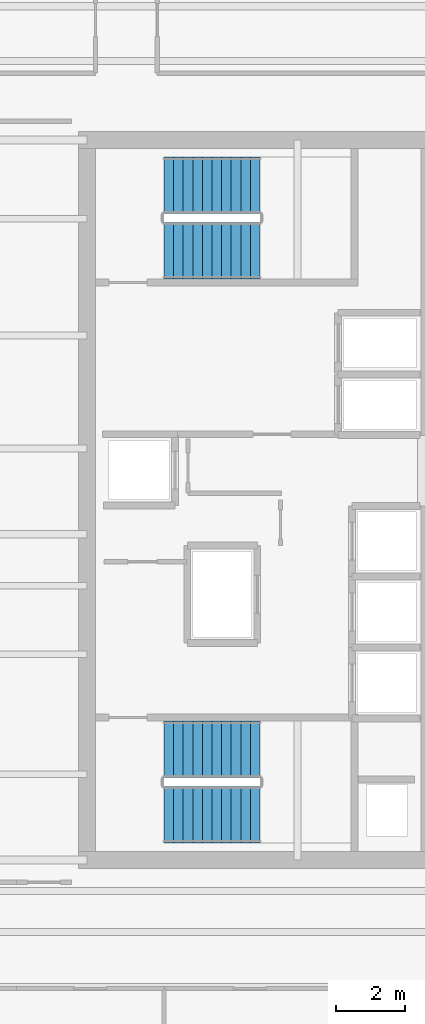
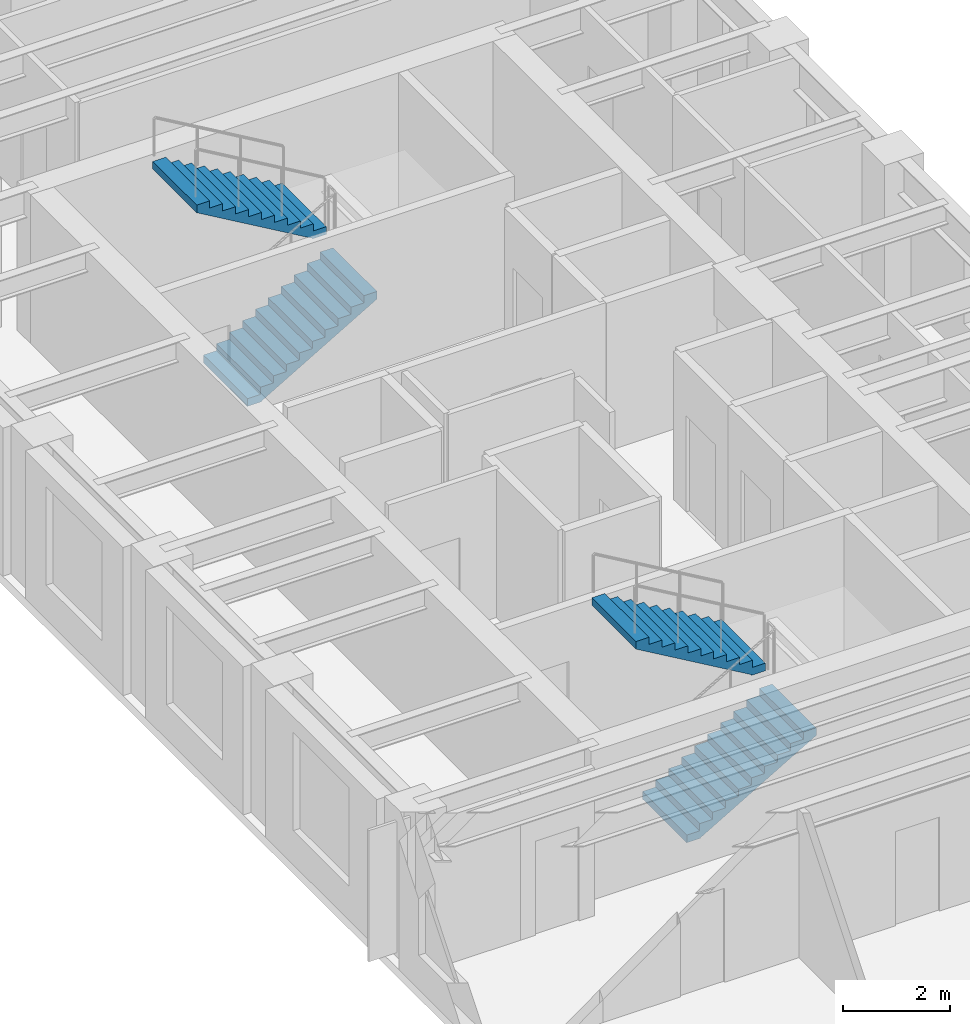
# One storey, part 9 of 11: 4 stair flights, 2 elements without a shape of their own.
"""IFC4 building model written with IfcOpenShell, lengths in metres."""

from ifc_helpers import new_model, si_unit, direction, frame, origin, place, context, subcontext, project, spatial, polyline, outline, extrude, source, transform, mapped, material, type_object, element, aggregate, save


model = new_model("IFC4")

# Units and contexts
model_context = context("Model", 3, precision=1e-05, world=origin(), true_north=direction((0.0, 1.0)))
body_context = subcontext(model_context, "Body", "Model", "MODEL_VIEW")
ifc_project = project(units=[si_unit("LENGTHUNIT", "METRE"), si_unit("AREAUNIT", "SQUARE_METRE"), si_unit("VOLUMEUNIT", "CUBIC_METRE"), si_unit("PLANEANGLEUNIT", "RADIAN"), si_unit("MASSUNIT", "GRAM", prefix="KILO")], contexts=[model_context])

# Site, building, storey
site_placement = place(None, origin())
site = spatial("IfcSite", under=ifc_project, at=site_placement, CompositionType="ELEMENT")
building_placement = place(site_placement, origin())
building = spatial("IfcBuilding", under=site, at=building_placement, Name="Kharzan Plaza Tower", CompositionType="ELEMENT")
storey_placement = place(building_placement, frame((0.0, 0.0, 262.800048828125)))
storey = spatial("IfcBuildingStorey", under=building, at=storey_placement, Name="L71", CompositionType="ELEMENT", Elevation=262.800048828125)

# Stair, stair flights
ifc_material = material(Name="Concrete C40/50", Category="concrete")
stair_type_1 = type_object("IfcStairType", Name="STR-ST-1", PredefinedType="HALF_TURN_STAIR", material=ifc_material)
stair_1_placement = place(storey_placement, origin())
stair_1 = element("IfcStair", 1, at=stair_1_placement, inside=storey, type_object=stair_type_1, Name="L71 Protected Exit Stair ST-1", PredefinedType="HALF_TURN_STAIR")
stair_flight_type = type_object("IfcStairFlightType", Name="SFL-1650-R173", PredefinedType="STRAIGHT", material=ifc_material)
shared_shape = source(origin(), body_context, "Body", "SweptSolid", [
    extrude(outline(polyline([(-0.0029296875, -0.011962890625), (-0.0029296875, 0.0), (0.0, 0.0), (0.0, 0.16357421875), (0.280029296875, 0.16357421875), (0.280029296875, 0.3271484375), (0.56005859375, 0.3271484375), (0.56005859375, 0.49072265625), (0.840087890625, 0.49072265625), (0.840087890625, 0.654296875), (1.1201171875, 0.654296875), (1.1201171875, 0.81787109375), (1.400146484375, 0.81787109375), (1.400146484375, 0.9814453125), (1.68017578125, 0.9814453125), (1.68017578125, 1.14501953125), (1.960205078125, 1.14501953125), (1.960205078125, 1.30859375), (2.240234375, 1.30859375), (2.240234375, 1.47216796875), (2.520263671875, 1.47216796875), (2.520263671875, 1.6357421875), (2.80029296875, 1.6357421875), (2.80029296875, 1.79931640625), (2.80029296875, 1.462158203125), (0.297119140625, 0.0), (0.297119140625, -0.011962890625), (-0.0029296875, -0.011962890625)])), frame((0.0, 0.824951171875, 0.0), z_axis=(0.0, -1.0, 0.0), x_axis=(1.0, 0.0, 0.0)), (0.0, 0.0, 1.0), 1.64990234375),
])
stair_flight_1_placement = place(storey_placement, frame((6.75, 9.824951171875, 0.0), z_axis=(0.0, 0.0, 1.0), x_axis=(1.0, 0.0, 0.0)))
stair_flight_1 = element("IfcStairFlight", 2, at=stair_flight_1_placement, type_object=stair_flight_type, Name="ST-1 flight 1", NumberOfRisers=11, NumberOfTreads=10, PredefinedType="STRAIGHT", RiserHeight=0.163636364, TreadLength=0.28, context=body_context, shape_type="MappedRepresentation", body=[
    mapped(shared_shape, transform((0.0, 0.0, 0.0), x_axis=(1.0, 0.0, 0.0), y_axis=(0.0, 1.0, 0.0), z_axis=(0.0, 0.0, 1.0))),
])
stair_flight_2_placement = place(storey_placement, frame((9.550048828125, 11.72509765625, 1.800048828125), z_axis=(0.0, 0.0, 1.0), x_axis=(-1.0, 0.0, 0.0)))
stair_flight_2 = element("IfcStairFlight", 3, at=stair_flight_2_placement, type_object=stair_flight_type, Name="ST-1 flight 2", NumberOfRisers=11, NumberOfTreads=10, PredefinedType="STRAIGHT", RiserHeight=0.163636364, TreadLength=0.28, context=body_context, shape_type="MappedRepresentation", body=[
    mapped(shared_shape, transform((0.0, 0.0, 0.0), x_axis=(1.0, 0.0, 0.0), y_axis=(0.0, 1.0, 0.0), z_axis=(0.0, 0.0, 1.0))),
])
aggregate(stair_1, [stair_flight_1, stair_flight_2])

stair_type_2 = type_object("IfcStairType", Name="STR-ST-2", PredefinedType="HALF_TURN_STAIR", material=ifc_material)
stair_2_placement = place(storey_placement, origin())
stair_2 = element("IfcStair", 4, at=stair_2_placement, inside=storey, type_object=stair_type_2, Name="L71 Protected Exit Stair ST-2", PredefinedType="HALF_TURN_STAIR")
stair_flight_3_placement = place(storey_placement, frame((6.75, 26.27490234375, 0.0), z_axis=(0.0, 0.0, 1.0), x_axis=(1.0, 0.0, 0.0)))
stair_flight_3 = element("IfcStairFlight", 5, at=stair_flight_3_placement, type_object=stair_flight_type, Name="ST-2 flight 1", NumberOfRisers=11, NumberOfTreads=10, PredefinedType="STRAIGHT", RiserHeight=0.163636364, TreadLength=0.28, context=body_context, shape_type="MappedRepresentation", body=[
    mapped(shared_shape, transform((0.0, 0.0, 0.0), x_axis=(1.0, 0.0, 0.0), y_axis=(0.0, 1.0, 0.0), z_axis=(0.0, 0.0, 1.0))),
])
stair_flight_4_placement = place(storey_placement, frame((9.550048828125, 28.175048828125, 1.800048828125), z_axis=(0.0, 0.0, 1.0), x_axis=(-1.0, 0.0, 0.0)))
stair_flight_4 = element("IfcStairFlight", 6, at=stair_flight_4_placement, type_object=stair_flight_type, Name="ST-2 flight 2", NumberOfRisers=11, NumberOfTreads=10, PredefinedType="STRAIGHT", RiserHeight=0.163636364, TreadLength=0.28, context=body_context, shape_type="MappedRepresentation", body=[
    mapped(shared_shape, transform((0.0, 0.0, 0.0), x_axis=(1.0, 0.0, 0.0), y_axis=(0.0, 1.0, 0.0), z_axis=(0.0, 0.0, 1.0))),
])
aggregate(stair_2, [stair_flight_3, stair_flight_4])

save(model, "model.ifc")
